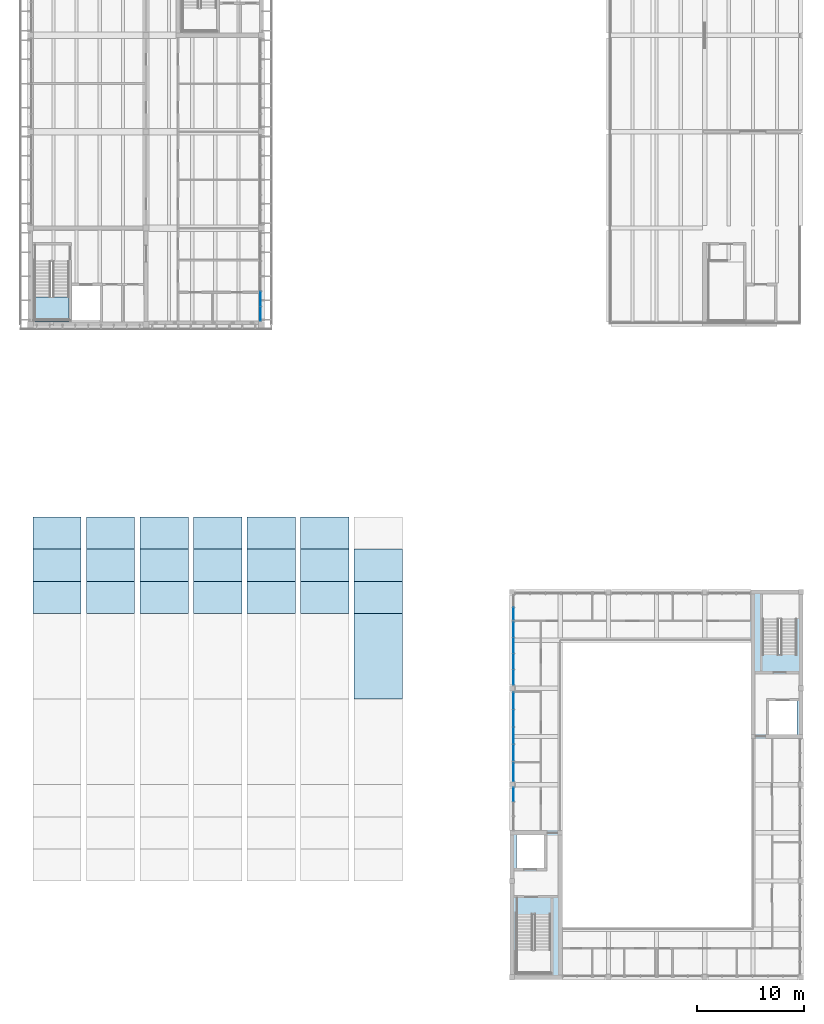
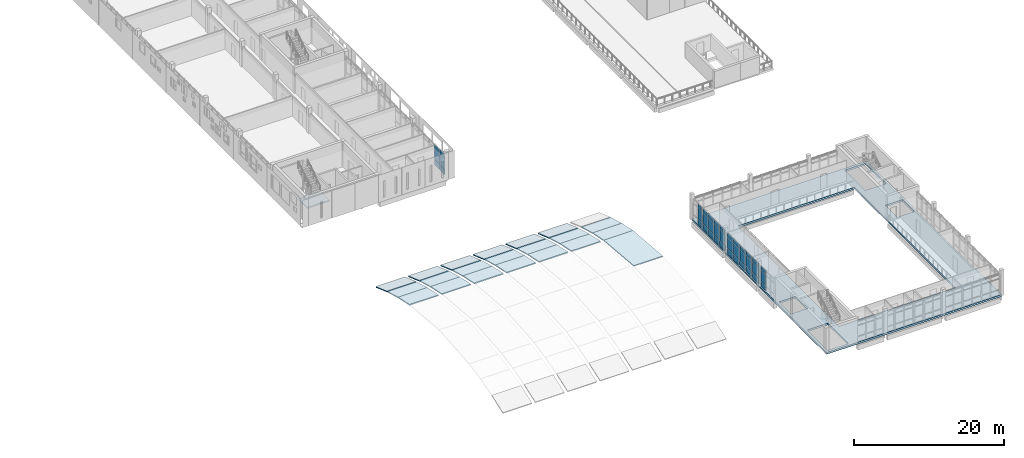
# One storey, part 31 of 74: 39 plates, 23 slabs, 7 elements without a shape of their own.
"""IFC4 building model written with IfcOpenShell, lengths in metres."""

import ifcopenshell
import ifcopenshell.guid

model = None  # the IFC model being written
_history = None  # IfcOwnerHistory: only IFC2X3 demands one
_inside = {}  # id of a spatial element -> (the spatial element, [elements in it])
_under = {}  # id of a project, library or spatial element -> (it, [spatial elements below it])
_declared = {}  # id of a project -> (the project, [libraries it declares])
_typed = {}  # id of a type object -> (the type object, [elements of that type])
_made_of = {}  # id of a material, layer set ... -> (it, [elements and type objects made of it])


def new_model(schema):
    """Start an empty IFC model of exactly this schema.

    Asked for "IFC4X3", IfcOpenShell would pick the latest addendum, in which some entities
    have other attributes; the version numbers below select the first issue.
    IFC2X3 requires an IfcOwnerHistory on every rooted entity: one is made here for all.
    """
    global model, _history
    if schema == "IFC4X3":
        model = ifcopenshell.file(schema_version=(4, 3, 0, 0))
    else:
        model = ifcopenshell.file(schema=schema)
    _inside.clear()
    _under.clear()
    _declared.clear()
    _typed.clear()
    _made_of.clear()
    _history = None
    if model.schema == "IFC2X3":
        org = make("IfcOrganization", Name="unknown")
        user = make(
            "IfcPersonAndOrganization",
            ThePerson=make("IfcPerson", FamilyName="unknown"),
            TheOrganization=org,
        )
        app = make(
            "IfcApplication",
            ApplicationDeveloper=org,
            Version="unknown",
            ApplicationFullName="unknown",
            ApplicationIdentifier="unknown",
        )
        _history = make(
            "IfcOwnerHistory",
            OwningUser=user,
            OwningApplication=app,
            ChangeAction="ADDED",
            CreationDate=0,
        )
    return model


def make(cls, **values):
    """One entity of the class cls with the attributes given. An attribute that is None is left unset."""
    return model.create_entity(
        cls, **{name: value for name, value in values.items() if value is not None}
    )


def rooted(cls, **values):
    """An entity with a GlobalId (a new one), such as an element, a storey or a relation."""
    return make(cls, GlobalId=ifcopenshell.guid.new(), OwnerHistory=_history, **values)


def si_unit(unit_type, name, prefix=None):
    """IfcSIUnit, for example si_unit("LENGTHUNIT", "METRE", prefix="MILLI")."""
    return make("IfcSIUnit", UnitType=unit_type, Prefix=prefix, Name=name)


def assignment(units):
    """IfcUnitAssignment: the units of a project."""
    return None if units is None else make("IfcUnitAssignment", Units=units)


def point(xyz):
    """IfcCartesianPoint."""
    return None if xyz is None else make("IfcCartesianPoint", Coordinates=xyz)


def direction(xyz):
    """IfcDirection."""
    return None if xyz is None else make("IfcDirection", DirectionRatios=xyz)


def frame(location, z_axis=None, x_axis=None):
    """IfcAxis2Placement3D, a coordinate frame: its origin and axes. An axis left out is left unset."""
    return make(
        "IfcAxis2Placement3D",
        Location=point(location),
        Axis=direction(z_axis),
        RefDirection=direction(x_axis),
    )


def frame_2d(location, x_axis=None):
    """IfcAxis2Placement2D, a coordinate frame in the plane: its origin and x axis."""
    return make(
        "IfcAxis2Placement2D", Location=point(location), RefDirection=direction(x_axis)
    )


def origin():
    """The frame at (0, 0, 0) with its axes left unset."""
    return frame((0.0, 0.0, 0.0))


def origin_2d():
    """The frame at (0, 0) in the plane with its x axis left unset."""
    return frame_2d((0.0, 0.0))


def place(relative_to, where):
    """IfcLocalPlacement: puts the frame where relative to a parent placement (None: the world)."""
    return make(
        "IfcLocalPlacement", PlacementRelTo=relative_to, RelativePlacement=where
    )


def context(
    kind, dimensions, precision=None, world=None, true_north=None, identifier=None
):
    """IfcGeometricRepresentationContext, for example the 3D "Model" context."""
    return make(
        "IfcGeometricRepresentationContext",
        ContextIdentifier=identifier,
        ContextType=kind,
        CoordinateSpaceDimension=dimensions,
        Precision=precision,
        WorldCoordinateSystem=world,
        TrueNorth=true_north,
    )


def subcontext(parent, identifier, kind, view, scale=None):
    """IfcGeometricRepresentationSubContext, for example "Body" below "Model"."""
    return make(
        "IfcGeometricRepresentationSubContext",
        ContextIdentifier=identifier,
        ContextType=kind,
        ParentContext=parent,
        TargetScale=scale,
        TargetView=view,
    )


def project(units=None, contexts=None):
    """IfcProject with its units and contexts."""
    return rooted(
        "IfcProject",
        Name="project",
        RepresentationContexts=contexts,
        UnitsInContext=assignment(units),
    )


def spatial(cls, under=None, at=None, **own):
    """A site, building, storey or space (cls), placed at a placement, below another one or the project."""
    s = rooted(cls, ObjectPlacement=at, **own)
    if under is not None:
        _under.setdefault(under.id(), (under, []))[1].append(s)
    return s


def polyline(points):
    """IfcPolyline through the points."""
    return make("IfcPolyline", Points=[point(p) for p in points])


def profile(cls, at=None, kind="AREA", **sizes):
    """A parametric profile (cls). Its sizes go by their IFC names, for example OverallWidth=200.0."""
    return make(cls, ProfileType=kind, Position=at, **sizes)


def rectangle(**sizes):
    """IfcRectangleProfileDef."""
    return profile("IfcRectangleProfileDef", **sizes)


def outline(outer, holes=None, kind="AREA"):
    """IfcArbitraryClosedProfileDef: a profile drawn as a closed curve; with holes, ...WithVoids."""
    if holes is None:
        return make("IfcArbitraryClosedProfileDef", ProfileType=kind, OuterCurve=outer)
    return make(
        "IfcArbitraryProfileDefWithVoids",
        ProfileType=kind,
        OuterCurve=outer,
        InnerCurves=holes,
    )


def extrude(swept, where, along, depth):
    """IfcExtrudedAreaSolid: the profile swept, set in the frame where, extruded along a direction by depth."""
    return make(
        "IfcExtrudedAreaSolid",
        SweptArea=swept,
        Position=where,
        ExtrudedDirection=direction(along),
        Depth=depth,
    )


def shape(context_of_items, identifier, shape_type, items):
    """IfcShapeRepresentation: the items that make up one representation, for example the "Body"."""
    return make(
        "IfcShapeRepresentation",
        ContextOfItems=context_of_items,
        RepresentationIdentifier=identifier,
        RepresentationType=shape_type,
        Items=items,
    )


def material(Name=None, Category=None):
    """IfcMaterial."""
    return make("IfcMaterial", Name=Name, Category=Category)


def layer(
    of_material, thickness, ventilated=None, Name=None, Category=None, Priority=None
):
    """IfcMaterialLayer: one layer of a wall or slab, of a material (None: an air gap)."""
    return make(
        "IfcMaterialLayer",
        Material=of_material,
        LayerThickness=thickness,
        IsVentilated=ventilated,
        Name=Name,
        Category=Category,
        Priority=Priority,
    )


def layer_set(layers, Name=None):
    """IfcMaterialLayerSet."""
    return make("IfcMaterialLayerSet", MaterialLayers=layers, LayerSetName=Name)


def made_of(thing, what):
    """Note that an element or type object is made of a material, layer set ...; save() writes the relation."""
    if what is not None:
        _made_of.setdefault(what.id(), (what, []))[1].append(thing)
    return thing


def type_object(cls, material=None, **own):
    """A type object (cls), such as IfcWallType, which elements share."""
    return made_of(rooted(cls, **own), material)


def element(
    cls,
    number,
    at=None,
    inside=None,
    cuts=None,
    type_object=None,
    material=None,
    context=None,
    identifier="Body",
    shape_type=None,
    held_by="IfcProductDefinitionShape",
    body=None,
    shapes=None,
    **own,
):
    """One element of the class cls, such as IfcWall. Its Tag is "e" and its number.

    at: its placement. inside: the storey or other place that contains it. cuts: it is an
    opening in that element (IfcRelVoidsElement). A single representation is given by context,
    identifier, shape_type and body (its items); several are given by shapes. held_by: the class
    of the entity that holds the representations. save() writes the other relations.
    """
    e = rooted(cls, Tag="e%d" % number, ObjectPlacement=at, **own)
    if body is not None:
        shapes = [shape(context, identifier, shape_type, body)]
    if shapes is not None:
        e.Representation = make(held_by, Representations=shapes)
    if inside is not None:
        _inside.setdefault(inside.id(), (inside, []))[1].append(e)
    if cuts is not None:
        rooted(
            "IfcRelVoidsElement", RelatingBuildingElement=cuts, RelatedOpeningElement=e
        )
    if type_object is not None:
        _typed.setdefault(type_object.id(), (type_object, []))[1].append(e)
    return made_of(e, material)


def aggregate(whole, parts):
    """IfcRelAggregates: a whole, such as a stair, and the parts it consists of."""
    return rooted("IfcRelAggregates", RelatingObject=whole, RelatedObjects=parts)


def save(model, path):
    """Write the relations noted so far, then the file.

    IfcRelAggregates (storeys below a building ...), IfcRelContainedInSpatialStructure (elements
    in a storey), IfcRelDefinesByType, IfcRelAssociatesMaterial and IfcRelDeclares: one each for
    every whole, place, type object, material and project.
    """
    for whole, parts in _under.values():
        aggregate(whole, parts)
    for where, things in _inside.values():
        rooted(
            "IfcRelContainedInSpatialStructure",
            RelatedElements=things,
            RelatingStructure=where,
        )
    for kind, things in _typed.values():
        rooted("IfcRelDefinesByType", RelatedObjects=things, RelatingType=kind)
    for what, things in _made_of.values():
        rooted("IfcRelAssociatesMaterial", RelatedObjects=things, RelatingMaterial=what)
    for by, libraries in _declared.values():
        rooted("IfcRelDeclares", RelatingContext=by, RelatedDefinitions=libraries)
    model.write(path)


model = new_model("IFC4")

# Units and contexts
model_context = context("Model", 3, precision=1e-05, world=origin(), true_north=direction((0.0, 1.0)))
body_context = subcontext(model_context, "Body", "Model", "MODEL_VIEW")
ifc_project = project(units=[si_unit("LENGTHUNIT", "METRE"), si_unit("AREAUNIT", "SQUARE_METRE"), si_unit("VOLUMEUNIT", "CUBIC_METRE"), si_unit("PLANEANGLEUNIT", "RADIAN"), si_unit("MASSUNIT", "GRAM", prefix="KILO")], contexts=[model_context])

# Site, building, storey
site_placement = place(None, origin())
site = spatial("IfcSite", under=ifc_project, at=site_placement, CompositionType="ELEMENT")
building_placement = place(site_placement, origin())
building = spatial("IfcBuilding", under=site, at=building_placement, Name="Merrow Basin Faculty of Sciences", CompositionType="ELEMENT")
storey_placement = place(building_placement, frame((0.0, 0.0, 13.5)))
storey = spatial("IfcBuildingStorey", under=building, at=storey_placement, Name="L03", CompositionType="ELEMENT", Elevation=13.5)

# Curtain wall, plates
ifc_material_1 = material(Name="Aluminium alloy 6063", Category="aluminium")
curtain_wall_type_1 = type_object("IfcCurtainWallType", Name="Atrium unitised curtain wall 240", PredefinedType="NOTDEFINED", material=ifc_material_1)
curtain_wall_1_placement = place(storey_placement, origin())
curtain_wall_1 = element("IfcCurtainWall", 1, at=curtain_wall_1_placement, inside=storey, type_object=curtain_wall_type_1, Name="W curtain wall L03 1", PredefinedType="NOTDEFINED")
ifc_material_2 = material(Name="Low-E double glazing", Category="glass")
ifc_layer_1 = layer(ifc_material_2, 0.031982421875)
ifc_layer_set_1 = layer_set([ifc_layer_1], Name="Acoustic double glazed panel 32")
plate_type_1 = type_object("IfcPlateType", Name="Acoustic double glazed panel 32", PredefinedType="CURTAIN_PANEL", material=ifc_layer_set_1)
plate_1_placement = place(storey_placement, frame((45.1201171875, 17.06005859375, 0.93017578125), z_axis=(0.0, 0.0, 1.0), x_axis=(0.0, 1.0, 0.0)))
plate_1 = element("IfcPlate", 2, at=plate_1_placement, type_object=plate_type_1, Name="CW5 panel 3.2", PredefinedType="CURTAIN_PANEL", context=body_context, shape_type="SweptSolid", body=[
    extrude(rectangle(XDim=1.260009765625, YDim=0.031982421875, at=origin_2d()), origin(), (0.0, 0.0, 1.0), 1.739990234375),
])
plate_2_placement = place(storey_placement, frame((45.1201171875, 17.06005859375, 2.72998046875), z_axis=(0.0, 0.0, 1.0), x_axis=(0.0, 1.0, 0.0)))
plate_2 = element("IfcPlate", 3, at=plate_2_placement, type_object=plate_type_1, Name="CW5 panel 3.3", PredefinedType="CURTAIN_PANEL", context=body_context, shape_type="SweptSolid", body=[
    extrude(rectangle(XDim=1.260009765625, YDim=0.031982421875, at=origin_2d()), origin(), (0.0, 0.0, 1.0), 0.610107421875),
])

curtain_wall_2_placement = place(storey_placement, origin())
curtain_wall_2 = element("IfcCurtainWall", 4, at=curtain_wall_2_placement, inside=storey, type_object=curtain_wall_type_1, Name="W curtain wall L03 2", PredefinedType="NOTDEFINED")
plate_3_placement = place(storey_placement, frame((45.1201171875, 19.14990234375, 0.93017578125), z_axis=(0.0, 0.0, 1.0), x_axis=(0.0, 1.0, 0.0)))
plate_3 = element("IfcPlate", 5, at=plate_3_placement, type_object=plate_type_1, Name="CW5 panel 1.2", PredefinedType="CURTAIN_PANEL", context=body_context, shape_type="SweptSolid", body=[
    extrude(rectangle(XDim=1.679931640625, YDim=0.031982421875, at=origin_2d()), origin(), (0.0, 0.0, 1.0), 1.739990234375),
])
plate_4_placement = place(storey_placement, frame((45.1201171875, 19.14990234375, 2.72998046875), z_axis=(0.0, 0.0, 1.0), x_axis=(0.0, 1.0, 0.0)))
plate_4 = element("IfcPlate", 6, at=plate_4_placement, type_object=plate_type_1, Name="CW5 panel 1.3", PredefinedType="CURTAIN_PANEL", context=body_context, shape_type="SweptSolid", body=[
    extrude(rectangle(XDim=1.679931640625, YDim=0.031982421875, at=origin_2d()), origin(), (0.0, 0.0, 1.0), 0.610107421875),
])

curtain_wall_3_placement = place(storey_placement, origin())
curtain_wall_3 = element("IfcCurtainWall", 7, at=curtain_wall_3_placement, inside=storey, type_object=curtain_wall_type_1, Name="W curtain wall L03 3", PredefinedType="NOTDEFINED")
plate_5_placement = place(storey_placement, frame((45.1201171875, 20.9775390625, 0.93017578125), z_axis=(0.0, 0.0, 1.0), x_axis=(0.0, 1.0, 0.0)))
plate_5 = element("IfcPlate", 8, at=plate_5_placement, type_object=plate_type_1, Name="CW5 panel 1.2", PredefinedType="CURTAIN_PANEL", context=body_context, shape_type="SweptSolid", body=[
    extrude(rectangle(XDim=1.534912109375, YDim=0.031982421875, at=origin_2d()), origin(), (0.0, 0.0, 1.0), 1.739990234375),
])
plate_6_placement = place(storey_placement, frame((45.1201171875, 20.9775390625, 2.72998046875), z_axis=(0.0, 0.0, 1.0), x_axis=(0.0, 1.0, 0.0)))
plate_6 = element("IfcPlate", 9, at=plate_6_placement, type_object=plate_type_1, Name="CW5 panel 1.3", PredefinedType="CURTAIN_PANEL", context=body_context, shape_type="SweptSolid", body=[
    extrude(rectangle(XDim=1.534912109375, YDim=0.031982421875, at=origin_2d()), origin(), (0.0, 0.0, 1.0), 0.610107421875),
])
plate_7_placement = place(storey_placement, frame((45.1201171875, 22.58740234375, 0.93017578125), z_axis=(0.0, 0.0, 1.0), x_axis=(0.0, 1.0, 0.0)))
plate_7 = element("IfcPlate", 10, at=plate_7_placement, type_object=plate_type_1, Name="CW5 panel 2.2", PredefinedType="CURTAIN_PANEL", context=body_context, shape_type="SweptSolid", body=[
    extrude(rectangle(XDim=1.56494140625, YDim=0.031982421875, at=origin_2d()), origin(), (0.0, 0.0, 1.0), 1.739990234375),
])
plate_8_placement = place(storey_placement, frame((45.1201171875, 22.58740234375, 2.72998046875), z_axis=(0.0, 0.0, 1.0), x_axis=(0.0, 1.0, 0.0)))
plate_8 = element("IfcPlate", 11, at=plate_8_placement, type_object=plate_type_1, Name="CW5 panel 2.3", PredefinedType="CURTAIN_PANEL", context=body_context, shape_type="SweptSolid", body=[
    extrude(rectangle(XDim=1.56494140625, YDim=0.031982421875, at=origin_2d()), origin(), (0.0, 0.0, 1.0), 0.610107421875),
])
plate_9_placement = place(storey_placement, frame((45.1201171875, 24.21240234375, 0.93017578125), z_axis=(0.0, 0.0, 1.0), x_axis=(0.0, 1.0, 0.0)))
plate_9 = element("IfcPlate", 12, at=plate_9_placement, type_object=plate_type_1, Name="CW5 panel 3.2", PredefinedType="CURTAIN_PANEL", context=body_context, shape_type="SweptSolid", body=[
    extrude(rectangle(XDim=1.56494140625, YDim=0.031982421875, at=origin_2d()), origin(), (0.0, 0.0, 1.0), 1.739990234375),
])
plate_10_placement = place(storey_placement, frame((45.1201171875, 24.21240234375, 2.72998046875), z_axis=(0.0, 0.0, 1.0), x_axis=(0.0, 1.0, 0.0)))
plate_10 = element("IfcPlate", 13, at=plate_10_placement, type_object=plate_type_1, Name="CW5 panel 3.3", PredefinedType="CURTAIN_PANEL", context=body_context, shape_type="SweptSolid", body=[
    extrude(rectangle(XDim=1.56494140625, YDim=0.031982421875, at=origin_2d()), origin(), (0.0, 0.0, 1.0), 0.610107421875),
])
plate_11_placement = place(storey_placement, frame((45.1201171875, 25.822509765625, 0.93017578125), z_axis=(0.0, 0.0, 1.0), x_axis=(0.0, 1.0, 0.0)))
plate_11 = element("IfcPlate", 14, at=plate_11_placement, type_object=plate_type_1, Name="CW5 panel 4.2", PredefinedType="CURTAIN_PANEL", context=body_context, shape_type="SweptSolid", body=[
    extrude(rectangle(XDim=1.534912109375, YDim=0.031982421875, at=origin_2d()), origin(), (0.0, 0.0, 1.0), 1.739990234375),
])
plate_12_placement = place(storey_placement, frame((45.1201171875, 25.822509765625, 2.72998046875), z_axis=(0.0, 0.0, 1.0), x_axis=(0.0, 1.0, 0.0)))
plate_12 = element("IfcPlate", 15, at=plate_12_placement, type_object=plate_type_1, Name="CW5 panel 4.3", PredefinedType="CURTAIN_PANEL", context=body_context, shape_type="SweptSolid", body=[
    extrude(rectangle(XDim=1.534912109375, YDim=0.031982421875, at=origin_2d()), origin(), (0.0, 0.0, 1.0), 0.610107421875),
])

curtain_wall_4_placement = place(storey_placement, origin())
curtain_wall_4 = element("IfcCurtainWall", 16, at=curtain_wall_4_placement, inside=storey, type_object=curtain_wall_type_1, Name="W curtain wall L03 4", PredefinedType="NOTDEFINED")
plate_13_placement = place(storey_placement, frame((45.1201171875, 28.014892578125, 0.93017578125), z_axis=(0.0, 0.0, 1.0), x_axis=(0.0, 1.0, 0.0)))
plate_13 = element("IfcPlate", 17, at=plate_13_placement, type_object=plate_type_1, Name="CW5 panel 1.2", PredefinedType="CURTAIN_PANEL", context=body_context, shape_type="SweptSolid", body=[
    extrude(rectangle(XDim=1.409912109375, YDim=0.031982421875, at=origin_2d()), origin(), (0.0, 0.0, 1.0), 1.739990234375),
])
plate_14_placement = place(storey_placement, frame((45.1201171875, 28.014892578125, 2.72998046875), z_axis=(0.0, 0.0, 1.0), x_axis=(0.0, 1.0, 0.0)))
plate_14 = element("IfcPlate", 18, at=plate_14_placement, type_object=plate_type_1, Name="CW5 panel 1.3", PredefinedType="CURTAIN_PANEL", context=body_context, shape_type="SweptSolid", body=[
    extrude(rectangle(XDim=1.409912109375, YDim=0.031982421875, at=origin_2d()), origin(), (0.0, 0.0, 1.0), 0.610107421875),
])
plate_15_placement = place(storey_placement, frame((45.1201171875, 29.5, 0.93017578125), z_axis=(0.0, 0.0, 1.0), x_axis=(0.0, 1.0, 0.0)))
plate_15 = element("IfcPlate", 19, at=plate_15_placement, type_object=plate_type_1, Name="CW5 panel 2.2", PredefinedType="CURTAIN_PANEL", context=body_context, shape_type="SweptSolid", body=[
    extrude(rectangle(XDim=1.43994140625, YDim=0.031982421875, at=origin_2d()), origin(), (0.0, 0.0, 1.0), 1.739990234375),
])
plate_16_placement = place(storey_placement, frame((45.1201171875, 29.5, 2.72998046875), z_axis=(0.0, 0.0, 1.0), x_axis=(0.0, 1.0, 0.0)))
plate_16 = element("IfcPlate", 20, at=plate_16_placement, type_object=plate_type_1, Name="CW5 panel 2.3", PredefinedType="CURTAIN_PANEL", context=body_context, shape_type="SweptSolid", body=[
    extrude(rectangle(XDim=1.43994140625, YDim=0.031982421875, at=origin_2d()), origin(), (0.0, 0.0, 1.0), 0.610107421875),
])
plate_17_placement = place(storey_placement, frame((45.1201171875, 31.0, 0.93017578125), z_axis=(0.0, 0.0, 1.0), x_axis=(0.0, 1.0, 0.0)))
plate_17 = element("IfcPlate", 21, at=plate_17_placement, type_object=plate_type_1, Name="CW5 panel 3.2", PredefinedType="CURTAIN_PANEL", context=body_context, shape_type="SweptSolid", body=[
    extrude(rectangle(XDim=1.43994140625, YDim=0.031982421875, at=origin_2d()), origin(), (0.0, 0.0, 1.0), 1.739990234375),
])
plate_18_placement = place(storey_placement, frame((45.1201171875, 31.0, 2.72998046875), z_axis=(0.0, 0.0, 1.0), x_axis=(0.0, 1.0, 0.0)))
plate_18 = element("IfcPlate", 22, at=plate_18_placement, type_object=plate_type_1, Name="CW5 panel 3.3", PredefinedType="CURTAIN_PANEL", context=body_context, shape_type="SweptSolid", body=[
    extrude(rectangle(XDim=1.43994140625, YDim=0.031982421875, at=origin_2d()), origin(), (0.0, 0.0, 1.0), 0.610107421875),
])
plate_19_placement = place(storey_placement, frame((45.1201171875, 32.485107421875, 0.93017578125), z_axis=(0.0, 0.0, 1.0), x_axis=(0.0, 1.0, 0.0)))
plate_19 = element("IfcPlate", 23, at=plate_19_placement, type_object=plate_type_1, Name="CW5 panel 4.2", PredefinedType="CURTAIN_PANEL", context=body_context, shape_type="SweptSolid", body=[
    extrude(rectangle(XDim=1.409912109375, YDim=0.031982421875, at=origin_2d()), origin(), (0.0, 0.0, 1.0), 1.739990234375),
])
plate_20_placement = place(storey_placement, frame((45.1201171875, 32.485107421875, 2.72998046875), z_axis=(0.0, 0.0, 1.0), x_axis=(0.0, 1.0, 0.0)))
plate_20 = element("IfcPlate", 24, at=plate_20_placement, type_object=plate_type_1, Name="CW5 panel 4.3", PredefinedType="CURTAIN_PANEL", context=body_context, shape_type="SweptSolid", body=[
    extrude(rectangle(XDim=1.409912109375, YDim=0.031982421875, at=origin_2d()), origin(), (0.0, 0.0, 1.0), 0.610107421875),
])

curtain_wall_5_placement = place(storey_placement, origin())
curtain_wall_5 = element("IfcCurtainWall", 25, at=curtain_wall_5_placement, inside=storey, type_object=curtain_wall_type_1, Name="W curtain wall L03 5", PredefinedType="NOTDEFINED")
plate_21_placement = place(storey_placement, frame((45.1201171875, 33.965087890625, 0.93017578125), z_axis=(0.0, 0.0, 1.0), x_axis=(0.0, 1.0, 0.0)))
plate_21 = element("IfcPlate", 26, at=plate_21_placement, type_object=plate_type_1, Name="CW5 panel 1.2", PredefinedType="CURTAIN_PANEL", context=body_context, shape_type="SweptSolid", body=[
    extrude(rectangle(XDim=1.110107421875, YDim=0.031982421875, at=origin_2d()), origin(), (0.0, 0.0, 1.0), 1.739990234375),
])
plate_22_placement = place(storey_placement, frame((45.1201171875, 33.965087890625, 2.72998046875), z_axis=(0.0, 0.0, 1.0), x_axis=(0.0, 1.0, 0.0)))
plate_22 = element("IfcPlate", 27, at=plate_22_placement, type_object=plate_type_1, Name="CW5 panel 1.3", PredefinedType="CURTAIN_PANEL", context=body_context, shape_type="SweptSolid", body=[
    extrude(rectangle(XDim=1.110107421875, YDim=0.031982421875, at=origin_2d()), origin(), (0.0, 0.0, 1.0), 0.610107421875),
])

# Slab
ifc_material_3 = material(Name="Concrete C40/50", Category="concrete")
ifc_layer_2 = layer(ifc_material_3, 0.300048828125)
ifc_layer_set_2 = layer_set([ifc_layer_2], Name="Floor slab 300 Concrete C40/50")
slab_type_1 = type_object("IfcSlabType", Name="Floor slab 300 Concrete C40/50", PredefinedType="FLOOR", material=ifc_layer_set_2)
slab_1_placement = place(storey_placement, frame((0.0, 0.0, -0.300048828125)))
element("IfcSlab", 28, at=slab_1_placement, inside=storey, type_object=slab_type_1, Name="SL11 floor L03 001", PredefinedType="FLOOR", context=body_context, shape_type="SweptSolid", body=[
    extrude(outline(polyline([(72.0, 36.0), (72.0, 0.0), (45.0, 0.0), (45.0, 36.0), (72.0, 36.0)]), holes=[polyline([(71.60009765625, 22.60009765625), (71.60009765625, 25.800048828125), (69.0, 25.800048828125), (69.0, 22.60009765625), (71.60009765625, 22.60009765625)]), polyline([(71.60009765625, 30.14990234375), (71.60009765625, 35.60009765625), (68.39990234375, 35.60009765625), (68.39990234375, 30.14990234375), (71.60009765625, 30.14990234375)]), polyline([(49.5, 4.5), (67.5, 4.5), (67.5, 31.5), (49.5, 31.5), (49.5, 4.5)]), polyline([(48.60009765625, 0.39990234375), (48.60009765625, 5.85009765625), (45.39990234375, 5.85009765625), (45.39990234375, 0.39990234375), (48.60009765625, 0.39990234375)]), polyline([(48.0, 10.199951171875), (48.0, 13.39990234375), (45.39990234375, 13.39990234375), (45.39990234375, 10.199951171875), (48.0, 10.199951171875)])]), origin(), (0.0, 0.0, 1.0), 0.300048828125),
])

# Curtain wall, plates
ifc_material_4 = material(Name="Aluminium alloy 6063", Category="aluminium")
curtain_wall_type_2 = type_object("IfcCurtainWallType", Name="Bar unitised curtain wall 180", PredefinedType="NOTDEFINED", material=ifc_material_4)
curtain_wall_6_placement = place(storey_placement, origin())
curtain_wall_6 = element("IfcCurtainWall", 29, at=curtain_wall_6_placement, inside=storey, type_object=curtain_wall_type_2, Name="East curtain wall L03 1", PredefinedType="NOTDEFINED")
ifc_material_5 = material(Name="Insulated aluminium spandrel panel", Category="aluminium")
ifc_layer_3 = layer(ifc_material_5, 0.052001953125)
ifc_layer_set_3 = layer_set([ifc_layer_3], Name="Insulated spandrel panel 52")
plate_type_2 = type_object("IfcPlateType", Name="Insulated spandrel panel 52", PredefinedType="CURTAIN_PANEL", material=ifc_layer_set_3)
plate_23_placement = place(storey_placement, frame((21.510009765625, 61.994140625, 0.06005859375), z_axis=(0.0, 0.0, 1.0), x_axis=(0.0, 1.0, 0.0)))
plate_23 = element("IfcPlate", 30, at=plate_23_placement, type_object=plate_type_2, Name="CW1 panel 1.1", PredefinedType="CURTAIN_PANEL", context=body_context, shape_type="SweptSolid", body=[
    extrude(rectangle(XDim=1.318359375, YDim=0.052001953125, at=origin_2d()), origin(), (0.0, 0.0, 1.0), 0.81005859375),
])
plate_24_placement = place(storey_placement, frame((21.510009765625, 63.387451171875, 0.06005859375), z_axis=(0.0, 0.0, 1.0), x_axis=(0.0, 1.0, 0.0)))
plate_24 = element("IfcPlate", 31, at=plate_24_placement, type_object=plate_type_2, Name="CW1 panel 2.1", PredefinedType="CURTAIN_PANEL", context=body_context, shape_type="SweptSolid", body=[
    extrude(rectangle(XDim=1.348388671875, YDim=0.052001953125, at=origin_2d()), origin(), (0.0, 0.0, 1.0), 0.81005859375),
])

# Plate
plate_25_placement = place(storey_placement, frame((45.1201171875, 17.06005859375, 0.06005859375), z_axis=(0.0, 0.0, 1.0), x_axis=(0.0, 1.0, 0.0)))
plate_25 = element("IfcPlate", 32, at=plate_25_placement, type_object=plate_type_2, Name="CW5 panel 3.1", PredefinedType="CURTAIN_PANEL", context=body_context, shape_type="SweptSolid", body=[
    extrude(rectangle(XDim=1.260009765625, YDim=0.052001953125, at=origin_2d()), origin(), (0.0, 0.0, 1.0), 0.81005859375),
])

aggregate(curtain_wall_1, [plate_25, plate_1, plate_2])

plate_26_placement = place(storey_placement, frame((45.1201171875, 19.14990234375, 0.06005859375), z_axis=(0.0, 0.0, 1.0), x_axis=(0.0, 1.0, 0.0)))
plate_26 = element("IfcPlate", 33, at=plate_26_placement, type_object=plate_type_2, Name="CW5 panel 1.1", PredefinedType="CURTAIN_PANEL", context=body_context, shape_type="SweptSolid", body=[
    extrude(rectangle(XDim=1.679931640625, YDim=0.052001953125, at=origin_2d()), origin(), (0.0, 0.0, 1.0), 0.81005859375),
])

aggregate(curtain_wall_2, [plate_26, plate_3, plate_4])

plate_27_placement = place(storey_placement, frame((45.1201171875, 20.9775390625, 0.06005859375), z_axis=(0.0, 0.0, 1.0), x_axis=(0.0, 1.0, 0.0)))
plate_27 = element("IfcPlate", 34, at=plate_27_placement, type_object=plate_type_2, Name="CW5 panel 1.1", PredefinedType="CURTAIN_PANEL", context=body_context, shape_type="SweptSolid", body=[
    extrude(rectangle(XDim=1.534912109375, YDim=0.052001953125, at=origin_2d()), origin(), (0.0, 0.0, 1.0), 0.81005859375),
])

plate_28_placement = place(storey_placement, frame((45.1201171875, 22.58740234375, 0.06005859375), z_axis=(0.0, 0.0, 1.0), x_axis=(0.0, 1.0, 0.0)))
plate_28 = element("IfcPlate", 35, at=plate_28_placement, type_object=plate_type_2, Name="CW5 panel 2.1", PredefinedType="CURTAIN_PANEL", context=body_context, shape_type="SweptSolid", body=[
    extrude(rectangle(XDim=1.56494140625, YDim=0.052001953125, at=origin_2d()), origin(), (0.0, 0.0, 1.0), 0.81005859375),
])

plate_29_placement = place(storey_placement, frame((45.1201171875, 24.21240234375, 0.06005859375), z_axis=(0.0, 0.0, 1.0), x_axis=(0.0, 1.0, 0.0)))
plate_29 = element("IfcPlate", 36, at=plate_29_placement, type_object=plate_type_2, Name="CW5 panel 3.1", PredefinedType="CURTAIN_PANEL", context=body_context, shape_type="SweptSolid", body=[
    extrude(rectangle(XDim=1.56494140625, YDim=0.052001953125, at=origin_2d()), origin(), (0.0, 0.0, 1.0), 0.81005859375),
])

plate_30_placement = place(storey_placement, frame((45.1201171875, 25.822509765625, 0.06005859375), z_axis=(0.0, 0.0, 1.0), x_axis=(0.0, 1.0, 0.0)))
plate_30 = element("IfcPlate", 37, at=plate_30_placement, type_object=plate_type_2, Name="CW5 panel 4.1", PredefinedType="CURTAIN_PANEL", context=body_context, shape_type="SweptSolid", body=[
    extrude(rectangle(XDim=1.534912109375, YDim=0.052001953125, at=origin_2d()), origin(), (0.0, 0.0, 1.0), 0.81005859375),
])

aggregate(curtain_wall_3, [plate_27, plate_5, plate_6, plate_28, plate_7, plate_8, plate_29, plate_9, plate_10, plate_30, plate_11, plate_12])

plate_31_placement = place(storey_placement, frame((45.1201171875, 28.014892578125, 0.06005859375), z_axis=(0.0, 0.0, 1.0), x_axis=(0.0, 1.0, 0.0)))
plate_31 = element("IfcPlate", 38, at=plate_31_placement, type_object=plate_type_2, Name="CW5 panel 1.1", PredefinedType="CURTAIN_PANEL", context=body_context, shape_type="SweptSolid", body=[
    extrude(rectangle(XDim=1.409912109375, YDim=0.052001953125, at=origin_2d()), origin(), (0.0, 0.0, 1.0), 0.81005859375),
])

plate_32_placement = place(storey_placement, frame((45.1201171875, 29.5, 0.06005859375), z_axis=(0.0, 0.0, 1.0), x_axis=(0.0, 1.0, 0.0)))
plate_32 = element("IfcPlate", 39, at=plate_32_placement, type_object=plate_type_2, Name="CW5 panel 2.1", PredefinedType="CURTAIN_PANEL", context=body_context, shape_type="SweptSolid", body=[
    extrude(rectangle(XDim=1.43994140625, YDim=0.052001953125, at=origin_2d()), origin(), (0.0, 0.0, 1.0), 0.81005859375),
])

plate_33_placement = place(storey_placement, frame((45.1201171875, 31.0, 0.06005859375), z_axis=(0.0, 0.0, 1.0), x_axis=(0.0, 1.0, 0.0)))
plate_33 = element("IfcPlate", 40, at=plate_33_placement, type_object=plate_type_2, Name="CW5 panel 3.1", PredefinedType="CURTAIN_PANEL", context=body_context, shape_type="SweptSolid", body=[
    extrude(rectangle(XDim=1.43994140625, YDim=0.052001953125, at=origin_2d()), origin(), (0.0, 0.0, 1.0), 0.81005859375),
])

plate_34_placement = place(storey_placement, frame((45.1201171875, 32.485107421875, 0.06005859375), z_axis=(0.0, 0.0, 1.0), x_axis=(0.0, 1.0, 0.0)))
plate_34 = element("IfcPlate", 41, at=plate_34_placement, type_object=plate_type_2, Name="CW5 panel 4.1", PredefinedType="CURTAIN_PANEL", context=body_context, shape_type="SweptSolid", body=[
    extrude(rectangle(XDim=1.409912109375, YDim=0.052001953125, at=origin_2d()), origin(), (0.0, 0.0, 1.0), 0.81005859375),
])

aggregate(curtain_wall_4, [plate_31, plate_13, plate_14, plate_32, plate_15, plate_16, plate_33, plate_17, plate_18, plate_34, plate_19, plate_20])

plate_35_placement = place(storey_placement, frame((45.1201171875, 33.965087890625, 0.06005859375), z_axis=(0.0, 0.0, 1.0), x_axis=(0.0, 1.0, 0.0)))
plate_35 = element("IfcPlate", 42, at=plate_35_placement, type_object=plate_type_2, Name="CW5 panel 1.1", PredefinedType="CURTAIN_PANEL", context=body_context, shape_type="SweptSolid", body=[
    extrude(rectangle(XDim=1.110107421875, YDim=0.052001953125, at=origin_2d()), origin(), (0.0, 0.0, 1.0), 0.81005859375),
])

aggregate(curtain_wall_5, [plate_35, plate_21, plate_22])

ifc_material_6 = material(Name="Low-E double glazing", Category="glass")
ifc_layer_4 = layer(ifc_material_6, 0.028076171875)
ifc_layer_set_4 = layer_set([ifc_layer_4], Name="Low-E double glazed panel 28")
plate_type_3 = type_object("IfcPlateType", Name="Low-E double glazed panel 28", PredefinedType="CURTAIN_PANEL", material=ifc_layer_set_4)
plate_36_placement = place(storey_placement, frame((21.510009765625, 61.994140625, 0.93017578125), z_axis=(0.0, 0.0, 1.0), x_axis=(0.0, 1.0, 0.0)))
plate_36 = element("IfcPlate", 43, at=plate_36_placement, type_object=plate_type_3, Name="CW1 panel 1.2", PredefinedType="CURTAIN_PANEL", context=body_context, shape_type="SweptSolid", body=[
    extrude(rectangle(XDim=1.318359375, YDim=0.028076171875, at=origin_2d()), origin(), (0.0, 0.0, 1.0), 1.739990234375),
])

plate_37_placement = place(storey_placement, frame((21.510009765625, 61.994140625, 2.72998046875), z_axis=(0.0, 0.0, 1.0), x_axis=(0.0, 1.0, 0.0)))
plate_37 = element("IfcPlate", 44, at=plate_37_placement, type_object=plate_type_3, Name="CW1 panel 1.3", PredefinedType="CURTAIN_PANEL", context=body_context, shape_type="SweptSolid", body=[
    extrude(rectangle(XDim=1.318359375, YDim=0.028076171875, at=origin_2d()), origin(), (0.0, 0.0, 1.0), 0.610107421875),
])

plate_38_placement = place(storey_placement, frame((21.510009765625, 63.387451171875, 0.93017578125), z_axis=(0.0, 0.0, 1.0), x_axis=(0.0, 1.0, 0.0)))
plate_38 = element("IfcPlate", 45, at=plate_38_placement, type_object=plate_type_3, Name="CW1 panel 2.2", PredefinedType="CURTAIN_PANEL", context=body_context, shape_type="SweptSolid", body=[
    extrude(rectangle(XDim=1.348388671875, YDim=0.028076171875, at=origin_2d()), origin(), (0.0, 0.0, 1.0), 1.739990234375),
])

plate_39_placement = place(storey_placement, frame((21.510009765625, 63.387451171875, 2.72998046875), z_axis=(0.0, 0.0, 1.0), x_axis=(0.0, 1.0, 0.0)))
plate_39 = element("IfcPlate", 46, at=plate_39_placement, type_object=plate_type_3, Name="CW1 panel 2.3", PredefinedType="CURTAIN_PANEL", context=body_context, shape_type="SweptSolid", body=[
    extrude(rectangle(XDim=1.348388671875, YDim=0.028076171875, at=origin_2d()), origin(), (0.0, 0.0, 1.0), 0.610107421875),
])

aggregate(curtain_wall_6, [plate_23, plate_36, plate_37, plate_24, plate_38, plate_39])

# Slabs
ifc_material_7 = material(Name="Concrete C50/60", Category="concrete")
ifc_layer_5 = layer(ifc_material_7, 0.14990234375)
ifc_layer_set_5 = layer_set([ifc_layer_5], Name="Shell strip 150 Concrete C50/60")
slab_type_2 = type_object("IfcSlabType", Name="Shell strip 150 Concrete C50/60", PredefinedType="ROOF", material=ifc_layer_set_5)
slab_2_placement = place(storey_placement, frame((0.25, 34.0, 2.9013671875), z_axis=(0.0, 0.204870252821, 0.978789139452), x_axis=(1.0, 0.0, 0.0)))
element("IfcSlab", 47, at=slab_2_placement, inside=storey, type_object=slab_type_2, Name="Shell strip 1.9", PredefinedType="ROOF", context=body_context, shape_type="SweptSolid", body=[
    extrude(outline(polyline([(0.0, 0.0), (4.5, 0.0), (4.5, 3.065011532187741), (0.0, 3.065011532187741), (0.0, 0.0)])), origin(), (0.0, 0.0, -1.0), 0.14990234375),
])
slab_3_placement = place(storey_placement, frame((0.25, 37.0, 2.2734375), z_axis=(0.0, 0.269583416439, 0.962977041046), x_axis=(1.0, 0.0, 0.0)))
element("IfcSlab", 48, at=slab_3_placement, inside=storey, type_object=slab_type_2, Name="Shell strip 1.10", PredefinedType="ROOF", context=body_context, shape_type="SweptSolid", body=[
    extrude(outline(polyline([(0.0, 0.0), (4.5, 0.0), (4.5, 3.1153390705369555), (0.0, 3.1153390705369555), (0.0, 0.0)])), origin(), (0.0, 0.0, -1.0), 0.14990234375),
])
slab_4_placement = place(storey_placement, frame((0.25, 40.0, 1.43359375), z_axis=(0.0, 0.334256016582, 0.942482315685), x_axis=(1.0, 0.0, 0.0)))
element("IfcSlab", 49, at=slab_4_placement, inside=storey, type_object=slab_type_2, Name="Shell strip 1.11", PredefinedType="ROOF", context=body_context, shape_type="SweptSolid", body=[
    extrude(outline(polyline([(0.0, 0.0), (4.5, 0.0), (4.5, 3.183083597509805), (0.0, 3.183083597509805), (0.0, 0.0)])), origin(), (0.0, 0.0, -1.0), 0.14990234375),
])
slab_5_placement = place(storey_placement, frame((5.25, 34.0, 2.9013671875), z_axis=(0.0, 0.204870252821, 0.978789139452), x_axis=(1.0, 0.0, 0.0)))
element("IfcSlab", 50, at=slab_5_placement, inside=storey, type_object=slab_type_2, Name="Shell strip 2.9", PredefinedType="ROOF", context=body_context, shape_type="SweptSolid", body=[
    extrude(outline(polyline([(0.0, 0.0), (4.5, 0.0), (4.5, 3.065011532187741), (0.0, 3.065011532187741), (0.0, 0.0)])), origin(), (0.0, 0.0, -1.0), 0.14990234375),
])
slab_6_placement = place(storey_placement, frame((5.25, 37.0, 2.2734375), z_axis=(0.0, 0.269583416439, 0.962977041046), x_axis=(1.0, 0.0, 0.0)))
element("IfcSlab", 51, at=slab_6_placement, inside=storey, type_object=slab_type_2, Name="Shell strip 2.10", PredefinedType="ROOF", context=body_context, shape_type="SweptSolid", body=[
    extrude(outline(polyline([(0.0, 0.0), (4.5, 0.0), (4.5, 3.1153390705369555), (0.0, 3.1153390705369555), (0.0, 0.0)])), origin(), (0.0, 0.0, -1.0), 0.14990234375),
])
slab_7_placement = place(storey_placement, frame((5.25, 40.0, 1.43359375), z_axis=(0.0, 0.334256016582, 0.942482315685), x_axis=(1.0, 0.0, 0.0)))
element("IfcSlab", 52, at=slab_7_placement, inside=storey, type_object=slab_type_2, Name="Shell strip 2.11", PredefinedType="ROOF", context=body_context, shape_type="SweptSolid", body=[
    extrude(outline(polyline([(0.0, 0.0), (4.5, 0.0), (4.5, 3.183083597509805), (0.0, 3.183083597509805), (0.0, 0.0)])), origin(), (0.0, 0.0, -1.0), 0.14990234375),
])
slab_8_placement = place(storey_placement, frame((10.25, 34.0, 2.9013671875), z_axis=(0.0, 0.204870252821, 0.978789139452), x_axis=(1.0, 0.0, 0.0)))
element("IfcSlab", 53, at=slab_8_placement, inside=storey, type_object=slab_type_2, Name="Shell strip 3.9", PredefinedType="ROOF", context=body_context, shape_type="SweptSolid", body=[
    extrude(outline(polyline([(0.0, 0.0), (4.5, 0.0), (4.5, 3.065011532187741), (0.0, 3.065011532187741), (0.0, 0.0)])), origin(), (0.0, 0.0, -1.0), 0.14990234375),
])
slab_9_placement = place(storey_placement, frame((10.25, 37.0, 2.2734375), z_axis=(0.0, 0.269583416439, 0.962977041046), x_axis=(1.0, 0.0, 0.0)))
element("IfcSlab", 54, at=slab_9_placement, inside=storey, type_object=slab_type_2, Name="Shell strip 3.10", PredefinedType="ROOF", context=body_context, shape_type="SweptSolid", body=[
    extrude(outline(polyline([(0.0, 0.0), (4.5, 0.0), (4.5, 3.1153390705369555), (0.0, 3.1153390705369555), (0.0, 0.0)])), origin(), (0.0, 0.0, -1.0), 0.14990234375),
])
slab_10_placement = place(storey_placement, frame((10.25, 40.0, 1.43359375), z_axis=(0.0, 0.334256016582, 0.942482315685), x_axis=(1.0, 0.0, 0.0)))
element("IfcSlab", 55, at=slab_10_placement, inside=storey, type_object=slab_type_2, Name="Shell strip 3.11", PredefinedType="ROOF", context=body_context, shape_type="SweptSolid", body=[
    extrude(outline(polyline([(0.0, 0.0), (4.5, 0.0), (4.5, 3.183083597509805), (0.0, 3.183083597509805), (0.0, 0.0)])), origin(), (0.0, 0.0, -1.0), 0.14990234375),
])
slab_11_placement = place(storey_placement, frame((15.25, 34.0, 2.9013671875), z_axis=(0.0, 0.204870252821, 0.978789139452), x_axis=(1.0, 0.0, 0.0)))
element("IfcSlab", 56, at=slab_11_placement, inside=storey, type_object=slab_type_2, Name="Shell strip 4.9", PredefinedType="ROOF", context=body_context, shape_type="SweptSolid", body=[
    extrude(outline(polyline([(0.0, 0.0), (4.5, 0.0), (4.5, 3.065011532187741), (0.0, 3.065011532187741), (0.0, 0.0)])), origin(), (0.0, 0.0, -1.0), 0.14990234375),
])
slab_12_placement = place(storey_placement, frame((15.25, 37.0, 2.2734375), z_axis=(0.0, 0.269583416439, 0.962977041046), x_axis=(1.0, 0.0, 0.0)))
element("IfcSlab", 57, at=slab_12_placement, inside=storey, type_object=slab_type_2, Name="Shell strip 4.10", PredefinedType="ROOF", context=body_context, shape_type="SweptSolid", body=[
    extrude(outline(polyline([(0.0, 0.0), (4.5, 0.0), (4.5, 3.1153390705369555), (0.0, 3.1153390705369555), (0.0, 0.0)])), origin(), (0.0, 0.0, -1.0), 0.14990234375),
])
slab_13_placement = place(storey_placement, frame((15.25, 40.0, 1.43359375), z_axis=(0.0, 0.334256016582, 0.942482315685), x_axis=(1.0, 0.0, 0.0)))
element("IfcSlab", 58, at=slab_13_placement, inside=storey, type_object=slab_type_2, Name="Shell strip 4.11", PredefinedType="ROOF", context=body_context, shape_type="SweptSolid", body=[
    extrude(outline(polyline([(0.0, 0.0), (4.5, 0.0), (4.5, 3.183083597509805), (0.0, 3.183083597509805), (0.0, 0.0)])), origin(), (0.0, 0.0, -1.0), 0.14990234375),
])
slab_14_placement = place(storey_placement, frame((20.25, 34.0, 2.9013671875), z_axis=(0.0, 0.204870252821, 0.978789139452), x_axis=(1.0, 0.0, 0.0)))
element("IfcSlab", 59, at=slab_14_placement, inside=storey, type_object=slab_type_2, Name="Shell strip 5.9", PredefinedType="ROOF", context=body_context, shape_type="SweptSolid", body=[
    extrude(outline(polyline([(0.0, 0.0), (4.5, 0.0), (4.5, 3.065011532187741), (0.0, 3.065011532187741), (0.0, 0.0)])), origin(), (0.0, 0.0, -1.0), 0.14990234375),
])
slab_15_placement = place(storey_placement, frame((20.25, 37.0, 2.2734375), z_axis=(0.0, 0.269583416439, 0.962977041046), x_axis=(1.0, 0.0, 0.0)))
element("IfcSlab", 60, at=slab_15_placement, inside=storey, type_object=slab_type_2, Name="Shell strip 5.10", PredefinedType="ROOF", context=body_context, shape_type="SweptSolid", body=[
    extrude(outline(polyline([(0.0, 0.0), (4.5, 0.0), (4.5, 3.1153390705369555), (0.0, 3.1153390705369555), (0.0, 0.0)])), origin(), (0.0, 0.0, -1.0), 0.14990234375),
])
slab_16_placement = place(storey_placement, frame((20.25, 40.0, 1.43359375), z_axis=(0.0, 0.334256016582, 0.942482315685), x_axis=(1.0, 0.0, 0.0)))
element("IfcSlab", 61, at=slab_16_placement, inside=storey, type_object=slab_type_2, Name="Shell strip 5.11", PredefinedType="ROOF", context=body_context, shape_type="SweptSolid", body=[
    extrude(outline(polyline([(0.0, 0.0), (4.5, 0.0), (4.5, 3.183083597509805), (0.0, 3.183083597509805), (0.0, 0.0)])), origin(), (0.0, 0.0, -1.0), 0.14990234375),
])
slab_17_placement = place(storey_placement, frame((25.25, 34.0, 2.9013671875), z_axis=(0.0, 0.204870252821, 0.978789139452), x_axis=(1.0, 0.0, 0.0)))
element("IfcSlab", 62, at=slab_17_placement, inside=storey, type_object=slab_type_2, Name="Shell strip 6.9", PredefinedType="ROOF", context=body_context, shape_type="SweptSolid", body=[
    extrude(outline(polyline([(0.0, 0.0), (4.5, 0.0), (4.5, 3.065011532187741), (0.0, 3.065011532187741), (0.0, 0.0)])), origin(), (0.0, 0.0, -1.0), 0.14990234375),
])
slab_18_placement = place(storey_placement, frame((25.25, 37.0, 2.2734375), z_axis=(0.0, 0.269583416439, 0.962977041046), x_axis=(1.0, 0.0, 0.0)))
element("IfcSlab", 63, at=slab_18_placement, inside=storey, type_object=slab_type_2, Name="Shell strip 6.10", PredefinedType="ROOF", context=body_context, shape_type="SweptSolid", body=[
    extrude(outline(polyline([(0.0, 0.0), (4.5, 0.0), (4.5, 3.1153390705369555), (0.0, 3.1153390705369555), (0.0, 0.0)])), origin(), (0.0, 0.0, -1.0), 0.14990234375),
])
slab_19_placement = place(storey_placement, frame((25.25, 40.0, 1.43359375), z_axis=(0.0, 0.334256016582, 0.942482315685), x_axis=(1.0, 0.0, 0.0)))
element("IfcSlab", 64, at=slab_19_placement, inside=storey, type_object=slab_type_2, Name="Shell strip 6.11", PredefinedType="ROOF", context=body_context, shape_type="SweptSolid", body=[
    extrude(outline(polyline([(0.0, 0.0), (4.5, 0.0), (4.5, 3.183083597509805), (0.0, 3.183083597509805), (0.0, 0.0)])), origin(), (0.0, 0.0, -1.0), 0.14990234375),
])
slab_20_placement = place(storey_placement, frame((30.25, 26.0, 3.59619140625), z_axis=(0.0, 0.08652728345, 0.996249481415), x_axis=(1.0, 0.0, 0.0)))
element("IfcSlab", 65, at=slab_20_placement, inside=storey, type_object=slab_type_2, Name="Shell strip 7.8", PredefinedType="ROOF", context=body_context, shape_type="SweptSolid", body=[
    extrude(outline(polyline([(0.0, 0.0), (4.5, 0.0), (4.5, 8.03011710344012), (0.0, 8.03011710344012), (0.0, 0.0)])), origin(), (0.0, 0.0, -1.0), 0.14990234375),
])
slab_21_placement = place(storey_placement, frame((30.25, 34.0, 2.9013671875), z_axis=(0.0, 0.204870252821, 0.978789139452), x_axis=(1.0, 0.0, 0.0)))
element("IfcSlab", 66, at=slab_21_placement, inside=storey, type_object=slab_type_2, Name="Shell strip 7.9", PredefinedType="ROOF", context=body_context, shape_type="SweptSolid", body=[
    extrude(outline(polyline([(0.0, 0.0), (4.5, 0.0), (4.5, 3.065011532187741), (0.0, 3.065011532187741), (0.0, 0.0)])), origin(), (0.0, 0.0, -1.0), 0.14990234375),
])
slab_22_placement = place(storey_placement, frame((30.25, 37.0, 2.2734375), z_axis=(0.0, 0.269583416439, 0.962977041046), x_axis=(1.0, 0.0, 0.0)))
element("IfcSlab", 67, at=slab_22_placement, inside=storey, type_object=slab_type_2, Name="Shell strip 7.10", PredefinedType="ROOF", context=body_context, shape_type="SweptSolid", body=[
    extrude(outline(polyline([(0.0, 0.0), (4.5, 0.0), (4.5, 3.1153390705369555), (0.0, 3.1153390705369555), (0.0, 0.0)])), origin(), (0.0, 0.0, -1.0), 0.14990234375),
])

# Stair, slab
ifc_material_8 = material(Name="Concrete C40/50", Category="concrete")
stair_type = type_object("IfcStairType", Name="Concrete dog-leg stair Concrete C40/50", PredefinedType="HALF_TURN_STAIR", material=ifc_material_8)
stair_placement = place(storey_placement, origin())
stair = element("IfcStair", 68, at=stair_placement, inside=storey, type_object=stair_type, Name="L03 Exit stair S", PredefinedType="HALF_TURN_STAIR")
ifc_material_9 = material(Name="Concrete C40/50", Category="concrete")
ifc_layer_6 = layer(ifc_material_9, 0.199951171875)
ifc_layer_set_6 = layer_set([ifc_layer_6], Name="Stair landing 200 Concrete C40/50")
slab_type_3 = type_object("IfcSlabType", Name="Stair landing 200 Concrete C40/50", PredefinedType="LANDING", material=ifc_layer_set_6)
slab_23_placement = place(storey_placement, frame((0.0, 0.0, 2.050048828125)))
slab_23 = element("IfcSlab", 69, at=slab_23_placement, type_object=slab_type_3, Name="ST-V4-S landing 1", PredefinedType="LANDING", context=body_context, shape_type="SweptSolid", body=[
    extrude(outline(polyline([(0.199951171875, 61.199951171875), (3.60009765625, 61.199951171875), (3.60009765625, 63.5400390625), (0.199951171875, 63.5400390625), (0.199951171875, 61.199951171875)])), origin(), (0.0, 0.0, 1.0), 0.199951171875),
])
aggregate(stair, [slab_23])

save(model, "model.ifc")
